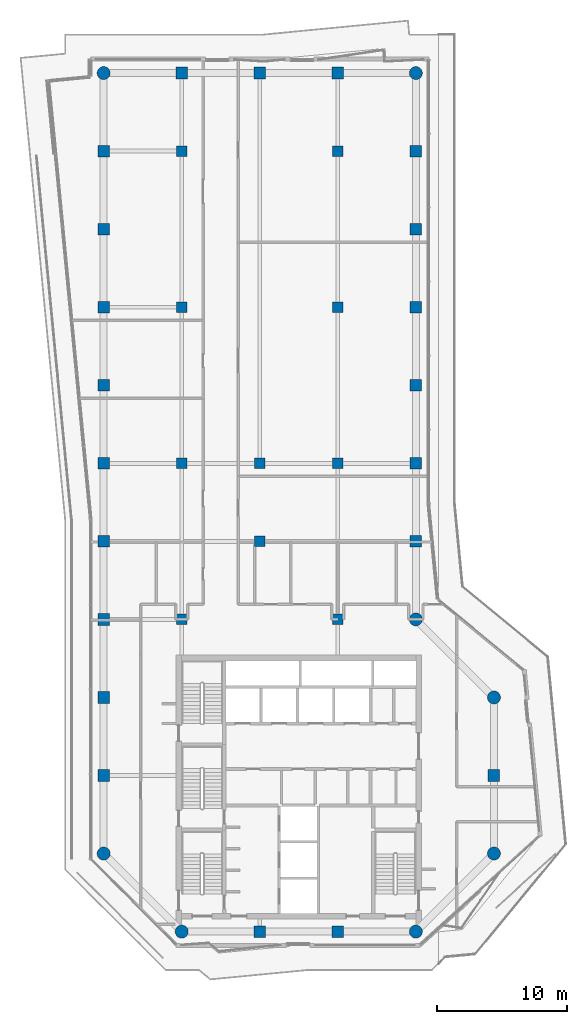
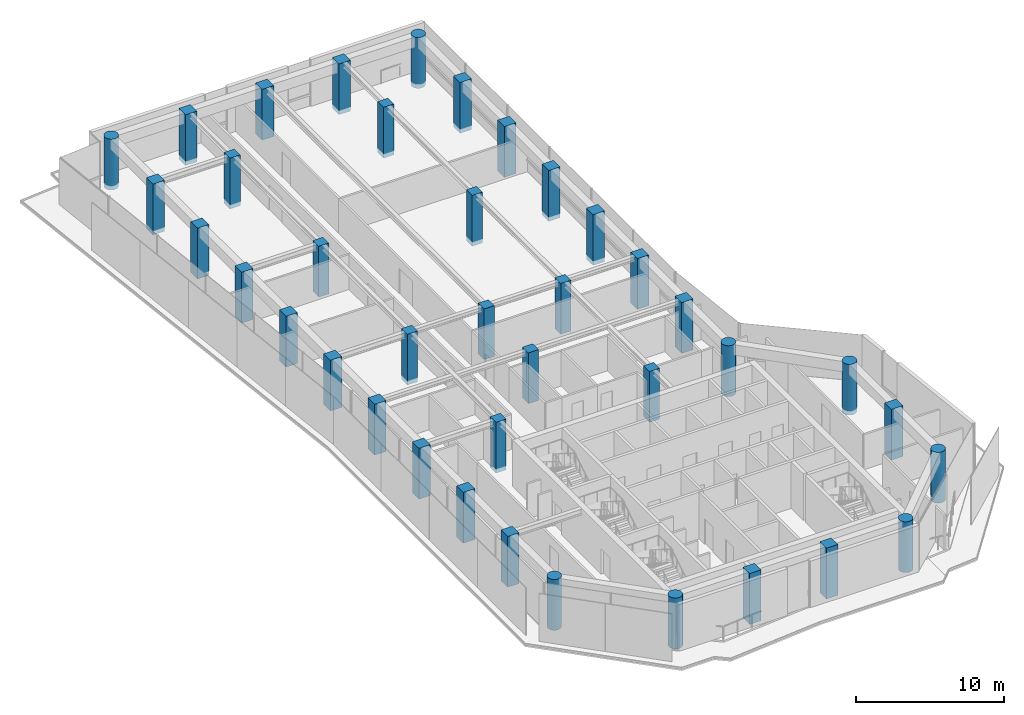
# One storey, part 1 of 23: 39 columns.
"""IFC4 building model written with IfcOpenShell, lengths in metres."""

from ifc_helpers import new_model, si_unit, direction, frame, origin, origin_2d, place, context, subcontext, project, spatial, rectangle, circle, extrude, material, material_profile, profile_set, type_object, element, save


model = new_model("IFC4")

# Units and contexts
model_context = context("Model", 3, precision=1e-05, world=origin(), true_north=direction((0.0, 1.0)))
body_context = subcontext(model_context, "Body", "Model", "MODEL_VIEW")
ifc_project = project(units=[si_unit("LENGTHUNIT", "METRE"), si_unit("AREAUNIT", "SQUARE_METRE"), si_unit("VOLUMEUNIT", "CUBIC_METRE"), si_unit("PLANEANGLEUNIT", "RADIAN"), si_unit("MASSUNIT", "GRAM", prefix="KILO")], contexts=[model_context])

# Site, building, storey
site_placement = place(None, origin())
site = spatial("IfcSite", under=ifc_project, at=site_placement, CompositionType="ELEMENT")
building_placement = place(site_placement, origin())
building = spatial("IfcBuilding", under=site, at=building_placement, Name="Welwitschia Terrace Campus", CompositionType="ELEMENT")
storey_placement = place(building_placement, frame((0.0, 0.0, 205.39990234375)))
storey = spatial("IfcBuildingStorey", under=building, at=storey_placement, Name="L45", CompositionType="ELEMENT", Elevation=205.39990234375)

# Columns
ifc_material_1 = material(Name="Concrete C50/60", Category="concrete")
ifc_material_profile_1 = material_profile(ifc_material_1, circle(Radius=0.5, at=origin_2d()))
ifc_profile_set_1 = profile_set([ifc_material_profile_1], Name="Concrete C50/60")
column_type_1 = type_object("IfcColumnType", Name="Corner column 1000 dia on truss", PredefinedType="COLUMN", material=ifc_profile_set_1)
for number, where, z_axis, x_axis, name in (
    (1, (0.0, 10.0, -0.349853515625), (0.0, 0.0, 1.0), (1.0, 0.0, 0.0), "Column C29"),
    (2, (0.0, 70.0, -0.349853515625), (0.0, 0.0, 1.0), (1.0, 0.0, 0.0), "Column C29"),
    (3, (6.0, 4.0, -0.349853515625), (0.0, 0.0, 1.0), (1.0, 0.0, 0.0), "Column C29"),
    (4, (24.0, 4.0, -0.349853515625), (0.0, 0.0, 1.0), (1.0, 0.0, 0.0), "Column C29"),
    (5, (24.0, 28.0, -0.349853515625), (0.0, 0.0, 1.0), (1.0, 0.0, 0.0), "Column C29"),
    (6, (24.0, 70.0, -0.349853515625), (0.0, 0.0, 1.0), (1.0, 0.0, 0.0), "Column C29"),
    (7, (30.0, 10.0, -0.349853515625), (0.0, 0.0, 1.0), (1.0, 0.0, 0.0), "Column C29"),
    (8, (30.0, 22.0, -0.349853515625), (0.0, 0.0, 1.0), (1.0, 0.0, 0.0), "Column C29"),
):
    element("IfcColumn", number, at=place(storey_placement, frame(where, z_axis=z_axis, x_axis=x_axis)), inside=storey, type_object=column_type_1, Name=name, PredefinedType="COLUMN", context=body_context, shape_type="SweptSolid", body=[
        extrude(circle(Radius=0.5, at=origin_2d()), origin(), (0.0, 0.0, 1.0), 4.199951171875),
    ])
ifc_material_2 = material(Name="Concrete C50/60", Category="concrete")
ifc_material_profile_2 = material_profile(ifc_material_2, rectangle(XDim=0.800048828125, YDim=0.800048828125, at=origin_2d()))
ifc_profile_set_2 = profile_set([ifc_material_profile_2], Name="Concrete C50/60")
column_type_2 = type_object("IfcColumnType", Name="Interior column 800x800 on truss", PredefinedType="COLUMN", material=ifc_profile_set_2)
for number, where, z_axis, x_axis, name in (
    (9, (6.0, 28.0, -0.349853515625), (0.0, 0.0, 1.0), (1.0, 0.0, 0.0), "Column C31"),
    (10, (6.0, 40.0, -0.349853515625), (0.0, 0.0, 1.0), (1.0, 0.0, 0.0), "Column C31"),
    (11, (6.0, 52.0, -0.349853515625), (0.0, 0.0, 1.0), (1.0, 0.0, 0.0), "Column C31"),
    (12, (6.0, 64.0, -0.349853515625), (0.0, 0.0, 1.0), (1.0, 0.0, 0.0), "Column C31"),
    (13, (12.0, 34.0, -0.349853515625), (0.0, 0.0, 1.0), (1.0, 0.0, 0.0), "Column C31"),
    (14, (12.0, 40.0, -0.349853515625), (0.0, 0.0, 1.0), (1.0, 0.0, 0.0), "Column C31"),
    (15, (18.0, 28.0, -0.349853515625), (0.0, 0.0, 1.0), (1.0, 0.0, 0.0), "Column C31"),
    (16, (18.0, 40.0, -0.349853515625), (0.0, 0.0, 1.0), (1.0, 0.0, 0.0), "Column C31"),
    (17, (18.0, 52.0, -0.349853515625), (0.0, 0.0, 1.0), (1.0, 0.0, 0.0), "Column C31"),
    (18, (18.0, 64.0, -0.349853515625), (0.0, 0.0, 1.0), (1.0, 0.0, 0.0), "Column C31"),
):
    element("IfcColumn", number, at=place(storey_placement, frame(where, z_axis=z_axis, x_axis=x_axis)), inside=storey, type_object=column_type_2, Name=name, PredefinedType="COLUMN", context=body_context, shape_type="SweptSolid", body=[
        extrude(rectangle(XDim=0.800048828125, YDim=0.800048828125, at=origin_2d()), origin(), (0.0, 0.0, 1.0), 4.199951171875),
    ])
ifc_material_3 = material(Name="Concrete C50/60", Category="concrete")
ifc_material_profile_3 = material_profile(ifc_material_3, rectangle(XDim=0.89990234375, YDim=0.89990234375, at=origin_2d()))
ifc_profile_set_3 = profile_set([ifc_material_profile_3], Name="Concrete C50/60")
column_type_3 = type_object("IfcColumnType", Name="Ring column 900x900 on truss", PredefinedType="COLUMN", material=ifc_profile_set_3)
for number, where, z_axis, x_axis, name in (
    (19, (0.0, 16.0, -0.349853515625), (0.0, 0.0, 1.0), (1.0, 0.0, 0.0), "Column C30"),
    (20, (0.0, 22.0, -0.349853515625), (0.0, 0.0, 1.0), (1.0, 0.0, 0.0), "Column C30"),
    (21, (0.0, 28.0, -0.349853515625), (0.0, 0.0, 1.0), (1.0, 0.0, 0.0), "Column C30"),
    (22, (0.0, 34.0, -0.349853515625), (0.0, 0.0, 1.0), (1.0, 0.0, 0.0), "Column C30"),
    (23, (0.0, 40.0, -0.349853515625), (0.0, 0.0, 1.0), (1.0, 0.0, 0.0), "Column C30"),
    (24, (0.0, 46.0, -0.349853515625), (0.0, 0.0, 1.0), (1.0, 0.0, 0.0), "Column C30"),
    (25, (0.0, 52.0, -0.349853515625), (0.0, 0.0, 1.0), (1.0, 0.0, 0.0), "Column C30"),
    (26, (0.0, 58.0, -0.349853515625), (0.0, 0.0, 1.0), (1.0, 0.0, 0.0), "Column C30"),
    (27, (0.0, 64.0, -0.349853515625), (0.0, 0.0, 1.0), (1.0, 0.0, 0.0), "Column C30"),
    (28, (6.0, 70.0, -0.349853515625), (0.0, 0.0, 1.0), (1.0, 0.0, 0.0), "Column C30"),
    (29, (12.0, 4.0, -0.349853515625), (0.0, 0.0, 1.0), (1.0, 0.0, 0.0), "Column C30"),
    (30, (12.0, 70.0, -0.349853515625), (0.0, 0.0, 1.0), (1.0, 0.0, 0.0), "Column C30"),
    (31, (18.0, 4.0, -0.349853515625), (0.0, 0.0, 1.0), (1.0, 0.0, 0.0), "Column C30"),
    (32, (18.0, 70.0, -0.349853515625), (0.0, 0.0, 1.0), (1.0, 0.0, 0.0), "Column C30"),
    (33, (24.0, 34.0, -0.349853515625), (0.0, 0.0, 1.0), (1.0, 0.0, 0.0), "Column C30"),
    (34, (24.0, 40.0, -0.349853515625), (0.0, 0.0, 1.0), (1.0, 0.0, 0.0), "Column C30"),
    (35, (24.0, 46.0, -0.349853515625), (0.0, 0.0, 1.0), (1.0, 0.0, 0.0), "Column C30"),
    (36, (24.0, 52.0, -0.349853515625), (0.0, 0.0, 1.0), (1.0, 0.0, 0.0), "Column C30"),
    (37, (24.0, 58.0, -0.349853515625), (0.0, 0.0, 1.0), (1.0, 0.0, 0.0), "Column C30"),
    (38, (24.0, 64.0, -0.349853515625), (0.0, 0.0, 1.0), (1.0, 0.0, 0.0), "Column C30"),
    (39, (30.0, 16.0, -0.349853515625), (0.0, 0.0, 1.0), (1.0, 0.0, 0.0), "Column C30"),
):
    element("IfcColumn", number, at=place(storey_placement, frame(where, z_axis=z_axis, x_axis=x_axis)), inside=storey, type_object=column_type_3, Name=name, PredefinedType="COLUMN", context=body_context, shape_type="SweptSolid", body=[
        extrude(rectangle(XDim=0.89990234375, YDim=0.89990234375, at=origin_2d()), origin(), (0.0, 0.0, 1.0), 4.199951171875),
    ])

save(model, "model.ifc")
